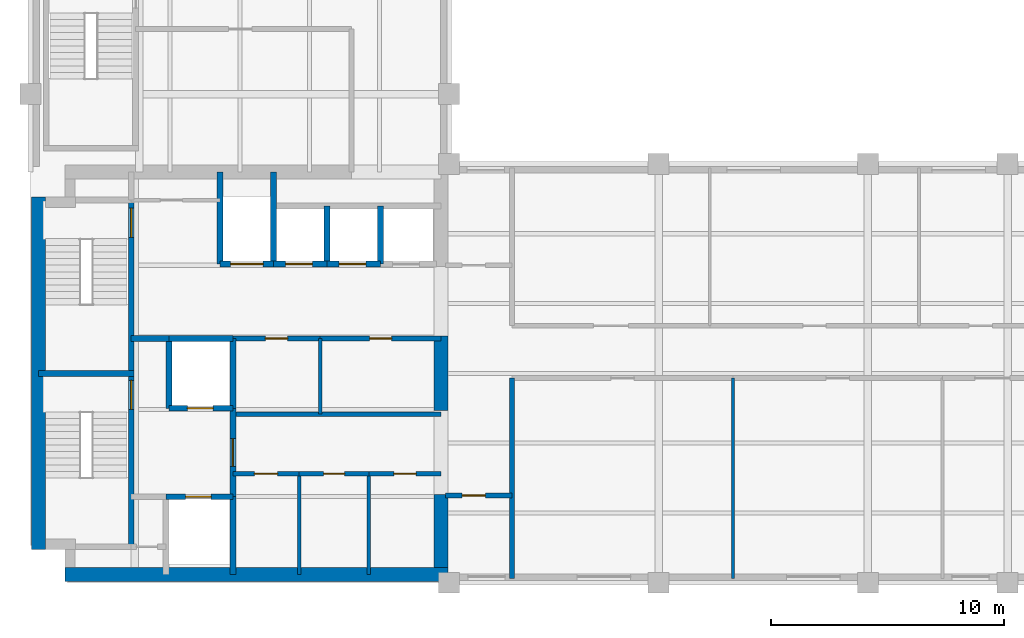
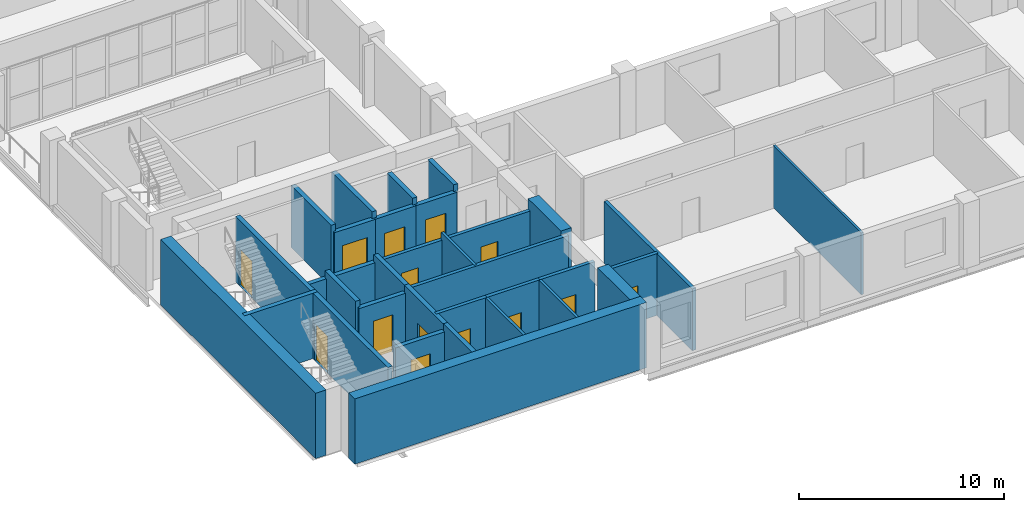
# One storey, part 8 of 11: 34 walls, 14 doors, 14 openings.
"""IFC4 building model written with IfcOpenShell, lengths in metres."""

from ifc_helpers import new_model, si_unit, direction, frame, frame_2d, origin, place, context, subcontext, project, spatial, rectangle, extrude, material, layer, layer_set, type_object, element, fill, save


model = new_model("IFC4")

# Units and contexts
model_context = context("Model", 3, precision=1e-05, world=origin(), true_north=direction((0.0, 1.0)))
body_context = subcontext(model_context, "Body", "Model", "MODEL_VIEW")
ifc_project = project(units=[si_unit("LENGTHUNIT", "METRE"), si_unit("AREAUNIT", "SQUARE_METRE"), si_unit("VOLUMEUNIT", "CUBIC_METRE"), si_unit("PLANEANGLEUNIT", "RADIAN"), si_unit("MASSUNIT", "GRAM", prefix="KILO")], contexts=[model_context])

# Site, building, storey
site_placement = place(None, origin())
site = spatial("IfcSite", under=ifc_project, at=site_placement, CompositionType="ELEMENT")
building_placement = place(site_placement, origin())
building = spatial("IfcBuilding", under=site, at=building_placement, Name="Mawjdan Bourse Tower", CompositionType="ELEMENT")
storey_placement = place(building_placement, frame((0.0, 0.0, 191.699951171875)))
storey = spatial("IfcBuildingStorey", under=building, at=storey_placement, Name="L46", CompositionType="ELEMENT", Elevation=191.699951171875)

# Wall, opening, door
ifc_material_1 = material(Name="Gypsum Fireboard Assembly")
ifc_layer_1 = layer(ifc_material_1, 0.199951171875)
ifc_layer_set_1 = layer_set([ifc_layer_1], Name="Gypsum Fireboard Assembly")
wall_type_1 = type_object("IfcWallType", Name="WL-CMP-200", PredefinedType="PARTITIONING", material=ifc_layer_set_1)
wall_1_placement = place(storey_placement, frame((14.699951171875, 7.679931640625, 0.0), z_axis=(0.0, 0.0, 1.0), x_axis=(1.0, 0.0, 0.0)))
wall_1 = element("IfcWall", 1, at=wall_1_placement, inside=storey, type_object=wall_type_1, Name="L46 Archive & Records Office North Wall", PredefinedType="PARTITIONING", context=body_context, shape_type="SweptSolid", body=[
    extrude(rectangle(XDim=2.85009765625, YDim=0.199951171875, at=frame_2d((1.425048828125, 0.0))), origin(), (0.0, 0.0, 1.0), 3.68994140625),
])
opening_1_placement = place(wall_1_placement, frame((0.925048828125, 0.0, 0.0)))
opening_1 = element("IfcOpeningElement", 2, at=opening_1_placement, cuts=wall_1, Name="Opening D-L46-13", PredefinedType="OPENING", context=body_context, shape_type="SweptSolid", body=[
    extrude(rectangle(XDim=1.0, YDim=2.14990234375, at=frame_2d((0.5, 1.074951171875))), frame((0.0, 0.10986328125, 0.0), z_axis=(0.0, -1.0, 0.0), x_axis=(1.0, 0.0, 0.0)), (0.0, 0.0, 1.0), 0.219970703125),
])
ifc_material_2 = material(Name="Hardwood Acoustic Leaf", Category="wood")
door_type_1 = type_object("IfcDoorType", Name="DR-OFC-1000", OperationType="NOTDEFINED", PredefinedType="DOOR", material=ifc_material_2)
door_1_placement = place(opening_1_placement, origin())
door_1 = element("IfcDoor", 3, at=door_1_placement, inside=storey, type_object=door_type_1, Name="L46 Archive & Records Office Door D-L46-13", OperationType="SINGLE_SWING_LEFT", OverallHeight=2.14990234375, OverallWidth=1.0, PredefinedType="DOOR", context=body_context, shape_type="SweptSolid", body=[
    extrude(rectangle(XDim=1.0, YDim=2.14990234375, at=frame_2d((0.5, 1.074951171875))), frame((0.0, 0.02490234375, 0.0), z_axis=(0.0, -1.0, 0.0), x_axis=(1.0, 0.0, 0.0)), (0.0, 0.0, 1.0), 0.050048828125),
])
fill(opening_1, door_1)

wall_2_placement = place(storey_placement, frame((17.550048828125, 7.679931640625, 0.0), z_axis=(0.0, 0.0, 1.0), x_axis=(1.0, 0.0, 0.0)))
wall_2 = element("IfcWall", 4, at=wall_2_placement, inside=storey, type_object=wall_type_1, Name="L46 IT & Fiber Patch Room North Wall", PredefinedType="PARTITIONING", context=body_context, shape_type="SweptSolid", body=[
    extrude(rectangle(XDim=3.0, YDim=0.199951171875, at=frame_2d((1.5, 0.0))), origin(), (0.0, 0.0, 1.0), 3.68994140625),
])
opening_2_placement = place(wall_2_placement, frame((1.050048828125, 0.0, 0.0)))
opening_2 = element("IfcOpeningElement", 5, at=opening_2_placement, cuts=wall_2, Name="Opening D-L46-14", PredefinedType="OPENING", context=body_context, shape_type="SweptSolid", body=[
    extrude(rectangle(XDim=0.89990234375, YDim=2.10009765625, at=frame_2d((0.449951171875, 1.050048828125))), frame((0.0, 0.10986328125, 0.0), z_axis=(0.0, -1.0, 0.0), x_axis=(1.0, 0.0, 0.0)), (0.0, 0.0, 1.0), 0.219970703125),
])
ifc_material_3 = material(Name="Fire-Rated Steel Access Leaf", Category="steel")
door_type_2 = type_object("IfcDoorType", Name="FD-RSR-0900", OperationType="NOTDEFINED", PredefinedType="TRAPDOOR", material=ifc_material_3)
door_2_placement = place(opening_2_placement, origin())
door_2 = element("IfcDoor", 6, at=door_2_placement, inside=storey, type_object=door_type_2, Name="L46 IT & Fiber Patch Room Door D-L46-14", OperationType="SINGLE_SWING_RIGHT", OverallHeight=2.10009765625, OverallWidth=0.89990234375, PredefinedType="TRAPDOOR", context=body_context, shape_type="SweptSolid", body=[
    extrude(rectangle(XDim=0.89990234375, YDim=2.10009765625, at=frame_2d((0.449951171875, 1.050048828125))), frame((0.0, 0.02490234375, 0.0), z_axis=(0.0, -1.0, 0.0), x_axis=(1.0, 0.0, 0.0)), (0.0, 0.0, 1.0), 0.050048828125),
])
fill(opening_2, door_2)

wall_3_placement = place(storey_placement, frame((20.550048828125, 7.679931640625, 0.0), z_axis=(0.0, 0.0, 1.0), x_axis=(1.0, 0.0, 0.0)))
wall_3 = element("IfcWall", 7, at=wall_3_placement, inside=storey, type_object=wall_type_1, Name="L46 Staff Tea Pantry North Wall", PredefinedType="PARTITIONING", context=body_context, shape_type="SweptSolid", body=[
    extrude(rectangle(XDim=3.099853515625, YDim=0.199951171875, at=frame_2d((1.5498046875, 0.0))), origin(), (0.0, 0.0, 1.0), 3.68994140625),
])
opening_3_placement = place(wall_3_placement, frame((1.074951171875, 0.0, 0.0)))
opening_3 = element("IfcOpeningElement", 8, at=opening_3_placement, cuts=wall_3, Name="Opening D-L46-15", PredefinedType="OPENING", context=body_context, shape_type="SweptSolid", body=[
    extrude(rectangle(XDim=0.949951171875, YDim=2.10009765625, at=frame_2d((0.47509765625, 1.050048828125))), frame((0.0, 0.10986328125, 0.0), z_axis=(0.0, -1.0, 0.0), x_axis=(1.0, 0.0, 0.0)), (0.0, 0.0, 1.0), 0.219970703125),
])
ifc_material_4 = material(Name="Moisture-Resistant Laminate Timber", Category="wood")
door_type_3 = type_object("IfcDoorType", Name="DR-WET-0950", OperationType="NOTDEFINED", PredefinedType="DOOR", material=ifc_material_4)
door_3_placement = place(opening_3_placement, origin())
door_3 = element("IfcDoor", 9, at=door_3_placement, inside=storey, type_object=door_type_3, Name="L46 Staff Tea Pantry Door D-L46-15", OperationType="SINGLE_SWING_LEFT", OverallHeight=2.10009765625, OverallWidth=0.949951171875, PredefinedType="DOOR", context=body_context, shape_type="SweptSolid", body=[
    extrude(rectangle(XDim=0.949951171875, YDim=2.10009765625, at=frame_2d((0.47509765625, 1.050048828125))), frame((0.0, 0.02490234375, 0.0), z_axis=(0.0, -1.0, 0.0), x_axis=(1.0, 0.0, 0.0)), (0.0, 0.0, 1.0), 0.050048828125),
])
fill(opening_3, door_3)

# Wall
wall_4_placement = place(storey_placement, frame((14.824951171875, 10.25, 0.0), z_axis=(0.0, 0.0, 1.0), x_axis=(1.0, 0.0, 0.0)))
element("IfcWall", 10, at=wall_4_placement, inside=storey, type_object=wall_type_1, Name="L46 Core Restroom Suite South Wall", PredefinedType="PARTITIONING", context=body_context, shape_type="SweptSolid", body=[
    extrude(rectangle(XDim=8.824951171875, YDim=0.199951171875, at=frame_2d((4.41259765625, 0.0))), origin(), (0.0, 0.0, 1.0), 3.68994140625),
])

# Wall, opening, door
wall_5_placement = place(storey_placement, frame((14.699951171875, 13.5, 0.0), z_axis=(0.0, 0.0, 1.0), x_axis=(1.0, 0.0, 0.0)))
wall_5 = element("IfcWall", 11, at=wall_5_placement, inside=storey, type_object=wall_type_1, Name="L46 Accessible WC North Wall", PredefinedType="PARTITIONING", context=body_context, shape_type="SweptSolid", body=[
    extrude(rectangle(XDim=3.75, YDim=0.199951171875, at=frame_2d((1.875, 0.0))), origin(), (0.0, 0.0, 1.0), 3.282958984375),
])
opening_4_placement = place(wall_5_placement, frame((1.39990234375, 0.0, 0.0)))
opening_4 = element("IfcOpeningElement", 12, at=opening_4_placement, cuts=wall_5, Name="Opening D-L46-16", PredefinedType="OPENING", context=body_context, shape_type="SweptSolid", body=[
    extrude(rectangle(XDim=0.949951171875, YDim=2.10009765625, at=frame_2d((0.47509765625, 1.050048828125))), frame((0.0, 0.10986328125, 0.0), z_axis=(0.0, -1.0, 0.0), x_axis=(1.0, 0.0, 0.0)), (0.0, 0.0, 1.0), 0.219970703125),
])
door_4_placement = place(opening_4_placement, origin())
door_4 = element("IfcDoor", 13, at=door_4_placement, inside=storey, type_object=door_type_3, Name="L46 Accessible WC Door D-L46-16", OperationType="SINGLE_SWING_RIGHT", OverallHeight=2.10009765625, OverallWidth=0.949951171875, PredefinedType="DOOR", context=body_context, shape_type="SweptSolid", body=[
    extrude(rectangle(XDim=0.949951171875, YDim=2.10009765625, at=frame_2d((0.47509765625, 1.050048828125))), frame((0.0, 0.02490234375, 0.0), z_axis=(0.0, -1.0, 0.0), x_axis=(1.0, 0.0, 0.0)), (0.0, 0.0, 1.0), 0.050048828125),
])
fill(opening_4, door_4)

wall_6_placement = place(storey_placement, frame((18.449951171875, 13.5, 0.0), z_axis=(0.0, 0.0, 1.0), x_axis=(1.0, 0.0, 0.0)))
wall_6 = element("IfcWall", 14, at=wall_6_placement, inside=storey, type_object=wall_type_1, Name="L46 Unisex Restroom Suite North Wall", PredefinedType="PARTITIONING", context=body_context, shape_type="SweptSolid", body=[
    extrude(rectangle(XDim=5.199951171875, YDim=0.199951171875, at=frame_2d((2.60009765625, 0.0))), origin(), (0.0, 0.0, 1.0), 3.282958984375),
])
opening_5_placement = place(wall_6_placement, frame((2.125, 0.0, 0.0)))
opening_5 = element("IfcOpeningElement", 15, at=opening_5_placement, cuts=wall_6, Name="Opening D-L46-17", PredefinedType="OPENING", context=body_context, shape_type="SweptSolid", body=[
    extrude(rectangle(XDim=0.949951171875, YDim=2.10009765625, at=frame_2d((0.47509765625, 1.050048828125))), frame((0.0, 0.10986328125, 0.0), z_axis=(0.0, -1.0, 0.0), x_axis=(1.0, 0.0, 0.0)), (0.0, 0.0, 1.0), 0.219970703125),
])
door_5_placement = place(opening_5_placement, origin())
door_5 = element("IfcDoor", 16, at=door_5_placement, inside=storey, type_object=door_type_3, Name="L46 Unisex Restroom Suite Door D-L46-17", OperationType="SINGLE_SWING_LEFT", OverallHeight=2.10009765625, OverallWidth=0.949951171875, PredefinedType="DOOR", context=body_context, shape_type="SweptSolid", body=[
    extrude(rectangle(XDim=0.949951171875, YDim=2.10009765625, at=frame_2d((0.47509765625, 1.050048828125))), frame((0.0, 0.02490234375, 0.0), z_axis=(0.0, -1.0, 0.0), x_axis=(1.0, 0.0, 0.0)), (0.0, 0.0, 1.0), 0.050048828125),
])
fill(opening_5, door_5)

wall_7_placement = place(storey_placement, frame((23.85009765625, 6.75, 0.0), z_axis=(0.0, 0.0, 1.0), x_axis=(1.0, 0.0, 0.0)))
wall_7 = element("IfcWall", 17, at=wall_7_placement, inside=storey, type_object=wall_type_1, Name="L46 West Pocket North Wall", PredefinedType="PARTITIONING", context=body_context, shape_type="SweptSolid", body=[
    extrude(rectangle(XDim=2.849853515625, YDim=0.199951171875, at=frame_2d((1.4248046875, 0.0))), origin(), (0.0, 0.0, 1.0), 3.68994140625),
])
opening_6_placement = place(wall_7_placement, frame((0.699951171875, 0.0, 0.0)))
opening_6 = element("IfcOpeningElement", 18, at=opening_6_placement, cuts=wall_7, Name="Opening D-L46-20", PredefinedType="OPENING", context=body_context, shape_type="SweptSolid", body=[
    extrude(rectangle(XDim=1.0, YDim=2.14990234375, at=frame_2d((0.5, 1.074951171875))), frame((0.0, 0.10986328125, 0.0), z_axis=(0.0, -1.0, 0.0), x_axis=(1.0, 0.0, 0.0)), (0.0, 0.0, 1.0), 0.219970703125),
])
door_6_placement = place(opening_6_placement, origin())
door_6 = element("IfcDoor", 19, at=door_6_placement, inside=storey, type_object=door_type_1, Name="L46 West Pocket Office Door D-L46-20", OperationType="SINGLE_SWING_RIGHT", OverallHeight=2.14990234375, OverallWidth=1.0, PredefinedType="DOOR", context=body_context, shape_type="SweptSolid", body=[
    extrude(rectangle(XDim=1.0, YDim=2.14990234375, at=frame_2d((0.5, 1.074951171875))), frame((0.0, 0.02490234375, 0.0), z_axis=(0.0, -1.0, 0.0), x_axis=(1.0, 0.0, 0.0)), (0.0, 0.0, 1.0), 0.050048828125),
])
fill(opening_6, door_6)

# Walls
wall_8_placement = place(storey_placement, frame((26.699951171875, 3.179931640625, 0.0), z_axis=(0.0, 0.0, 1.0), x_axis=(0.0, 1.0, 0.0)))
element("IfcWall", 20, at=wall_8_placement, inside=storey, type_object=wall_type_1, Name="L46 Vestibule South East Wall", PredefinedType="PARTITIONING", context=body_context, shape_type="SweptSolid", body=[
    extrude(rectangle(XDim=8.6201171875, YDim=0.199951171875, at=frame_2d((4.31005859375, 0.0))), origin(), (0.0, 0.0, 1.0), 3.68994140625),
])
ifc_material_5 = material(Name="Concrete C70/85", Category="concrete")
ifc_layer_2 = layer(ifc_material_5, 0.60009765625)
ifc_layer_set_2 = layer_set([ifc_layer_2], Name="Concrete C70/85")
wall_type_2 = type_object("IfcWallType", Name="WL-CORE-600", PredefinedType="SHEAR", material=ifc_layer_set_2)
wall_9_placement = place(storey_placement, frame((7.47509765625, 3.35009765625, 0.0), z_axis=(0.0, 0.0, 1.0), x_axis=(1.0, 0.0, 0.0)))
element("IfcWall", 21, at=wall_9_placement, inside=storey, type_object=wall_type_2, Name="L46 Rear Core Shear Wall S", PredefinedType="SHEAR", context=body_context, shape_type="SweptSolid", body=[
    extrude(rectangle(XDim=16.474853515625, YDim=0.60009765625, at=frame_2d((8.2373046875, 0.0))), origin(), (0.0, 0.0, 1.0), 3.900146484375),
])
wall_10_placement = place(storey_placement, frame((6.35009765625, 4.425048828125, 0.0), z_axis=(0.0, 0.0, 1.0), x_axis=(0.0, 1.0, 0.0)))
element("IfcWall", 22, at=wall_10_placement, inside=storey, type_object=wall_type_2, Name="L46 Rear Core Shear Wall W", PredefinedType="SHEAR", context=body_context, shape_type="SweptSolid", body=[
    extrude(rectangle(XDim=15.14990234375, YDim=0.60009765625, at=frame_2d((7.574951171875, 0.0))), origin(), (0.0, 0.0, 1.0), 3.900146484375),
])
wall_11_placement = place(storey_placement, frame((23.64990234375, 3.64990234375, 0.0), z_axis=(0.0, 0.0, 1.0), x_axis=(0.0, 1.0, 0.0)))
element("IfcWall", 23, at=wall_11_placement, inside=storey, type_object=wall_type_2, Name="L46 Rear Core Shear Wall E1", PredefinedType="SHEAR", context=body_context, shape_type="SweptSolid", body=[
    extrude(rectangle(XDim=3.150146484375, YDim=0.60009765625, at=frame_2d((1.5751953125, 0.0))), origin(), (0.0, 0.0, 1.0), 3.900146484375),
])
wall_12_placement = place(storey_placement, frame((23.64990234375, 10.39990234375, 0.0), z_axis=(0.0, 0.0, 1.0), x_axis=(0.0, 1.0, 0.0)))
element("IfcWall", 24, at=wall_12_placement, inside=storey, type_object=wall_type_2, Name="L46 Rear Core Shear Wall E2", PredefinedType="SHEAR", context=body_context, shape_type="SweptSolid", body=[
    extrude(rectangle(XDim=3.2001953125, YDim=0.60009765625, at=frame_2d((1.60009765625, 0.0))), origin(), (0.0, 0.0, 1.0), 3.900146484375),
])
ifc_material_6 = material(Name="Gypsum Partition")
ifc_layer_3 = layer(ifc_material_6, 0.125)
ifc_layer_set_3 = layer_set([ifc_layer_3], Name="Gypsum Partition")
wall_type_3 = type_object("IfcWallType", Name="WL-PRT-125", PredefinedType="PARTITIONING", material=ifc_layer_set_3)
wall_13_placement = place(storey_placement, frame((36.199951171875, 3.179931640625, 0.0), z_axis=(0.0, 0.0, 1.0), x_axis=(0.0, 1.0, 0.0)))
element("IfcWall", 25, at=wall_13_placement, inside=storey, type_object=wall_type_3, Name="L46 Executive Office Partition", PredefinedType="PARTITIONING", context=body_context, shape_type="SweptSolid", body=[
    extrude(rectangle(XDim=8.6201171875, YDim=0.125, at=frame_2d((4.31005859375, 0.0))), origin(), (0.0, 0.0, 1.0), 3.68994140625),
])
ifc_material_7 = material(Name="Gypsum Acoustic Partition")
ifc_layer_4 = layer(ifc_material_7, 0.14990234375)
ifc_layer_set_4 = layer_set([ifc_layer_4], Name="Gypsum Acoustic Partition")
wall_type_4 = type_object("IfcWallType", Name="WL-PRT-150", PredefinedType="PARTITIONING", material=ifc_layer_set_4)
for number, where, z_axis, x_axis, name in (
    (26, (17.550048828125, 3.35009765625, 0.0), (0.0, 0.0, 1.0), (0.0, 1.0, 0.0), "L46 IT & Fiber Patch Room Core Split Wall"),
    (27, (20.550048828125, 3.35009765625, 0.0), (0.0, 0.0, 1.0), (0.0, 1.0, 0.0), "L46 Staff Tea Pantry Core Split Wall"),
):
    element("IfcWall", number, at=place(storey_placement, frame(where, z_axis=z_axis, x_axis=x_axis)), inside=storey, type_object=wall_type_4, Name=name, PredefinedType="PARTITIONING", context=body_context, shape_type="SweptSolid", body=[
        extrude(rectangle(XDim=4.329833984375, YDim=0.14990234375, at=frame_2d((2.1650390625, 0.0))), origin(), (0.0, 0.0, 1.0), 3.68994140625),
    ])
wall_14_placement = place(storey_placement, frame((18.449951171875, 10.25, 0.0), z_axis=(0.0, 0.0, 1.0), x_axis=(0.0, 1.0, 0.0)))
element("IfcWall", 28, at=wall_14_placement, inside=storey, type_object=wall_type_4, Name="L46 Unisex Restroom Suite Split Wall", PredefinedType="PARTITIONING", context=body_context, shape_type="SweptSolid", body=[
    extrude(rectangle(XDim=3.25, YDim=0.14990234375, at=frame_2d((1.625, 0.0))), origin(), (0.0, 0.0, 1.0), 3.68994140625),
])

# Wall, opening, door
ifc_material_8 = material(Name="Concrete C50/60", Category="concrete")
ifc_layer_5 = layer(ifc_material_8, 0.25)
ifc_layer_set_5 = layer_set([ifc_layer_5], Name="Concrete C50/60")
wall_type_5 = type_object("IfcWallType", Name="WL-SHFT-250", PredefinedType="PARTITIONING", material=ifc_layer_set_5)
wall_15_placement = place(storey_placement, frame((11.820068359375, 6.699951171875, 0.0), z_axis=(0.0, 0.0, 1.0), x_axis=(1.0, 0.0, 0.0)))
wall_15 = element("IfcWall", 29, at=wall_15_placement, inside=storey, type_object=wall_type_5, Name="L46 FFL-01 Front Shaft Wall", PredefinedType="PARTITIONING", context=body_context, shape_type="SweptSolid", body=[
    extrude(rectangle(XDim=2.8798828125, YDim=0.25, at=frame_2d((1.43994140625, 0.0))), origin(), (0.0, 0.0, 1.0), 3.282958984375),
])
opening_7_placement = place(wall_15_placement, frame((0.85009765625, 0.0, 0.0)))
opening_7 = element("IfcOpeningElement", 30, at=opening_7_placement, cuts=wall_15, Name="Opening LD-L46-05", PredefinedType="OPENING", context=body_context, shape_type="SweptSolid", body=[
    extrude(rectangle(XDim=1.10009765625, YDim=2.25, at=frame_2d((0.550048828125, 1.125))), frame((0.0, 0.135009765625, 0.0), z_axis=(0.0, -1.0, 0.0), x_axis=(1.0, 0.0, 0.0)), (0.0, 0.0, 1.0), 0.27001953125),
])
ifc_material_9 = material(Name="Brushed Stainless Steel", Category="steel")
door_type_4 = type_object("IfcDoorType", Name="LD-FFL-1100", OperationType="DOUBLE_DOOR_SLIDING", PredefinedType="DOOR", material=ifc_material_9)
door_7_placement = place(opening_7_placement, origin())
door_7 = element("IfcDoor", 31, at=door_7_placement, inside=storey, type_object=door_type_4, Name="L46 Firefighting Lift FFL-01 Landing Door LD-L46-05", OperationType="DOUBLE_DOOR_SLIDING", OverallHeight=2.25, OverallWidth=1.10009765625, PredefinedType="DOOR", context=body_context, shape_type="SweptSolid", body=[
    extrude(rectangle(XDim=1.10009765625, YDim=2.25, at=frame_2d((0.550048828125, 1.125))), frame((0.0, 0.02490234375, 0.0), z_axis=(0.0, -1.0, 0.0), x_axis=(1.0, 0.0, 0.0)), (0.0, 0.0, 1.0), 0.050048828125),
])
fill(opening_7, door_7)

# Wall
wall_16_placement = place(storey_placement, frame((14.699951171875, 3.35009765625, 0.0), z_axis=(0.0, 0.0, 1.0), x_axis=(0.0, 1.0, 0.0)))
element("IfcWall", 32, at=wall_16_placement, inside=storey, type_object=wall_type_5, Name="L46 FFL-01 East Shaft Wall", PredefinedType="PARTITIONING", context=body_context, shape_type="SweptSolid", body=[
    extrude(rectangle(XDim=3.349853515625, YDim=0.25, at=frame_2d((1.6748046875, 0.0))), origin(), (0.0, 0.0, 1.0), 3.68994140625),
])

# Wall, opening, door
wall_17_placement = place(storey_placement, frame((11.949951171875, 10.5, 0.0), z_axis=(0.0, 0.0, 1.0), x_axis=(1.0, 0.0, 0.0)))
wall_17 = element("IfcWall", 33, at=wall_17_placement, inside=storey, type_object=wall_type_5, Name="L46 FFL-02 Front Shaft Wall", PredefinedType="PARTITIONING", context=body_context, shape_type="SweptSolid", body=[
    extrude(rectangle(XDim=2.75, YDim=0.25, at=frame_2d((1.375, 0.0))), origin(), (0.0, 0.0, 1.0), 3.282958984375),
])
opening_8_placement = place(wall_17_placement, frame((0.800048828125, 0.0, 0.0)))
opening_8 = element("IfcOpeningElement", 34, at=opening_8_placement, cuts=wall_17, Name="Opening LD-L46-06", PredefinedType="OPENING", context=body_context, shape_type="SweptSolid", body=[
    extrude(rectangle(XDim=1.10009765625, YDim=2.25, at=frame_2d((0.550048828125, 1.125))), frame((0.0, 0.135009765625, 0.0), z_axis=(0.0, -1.0, 0.0), x_axis=(1.0, 0.0, 0.0)), (0.0, 0.0, 1.0), 0.27001953125),
])
door_8_placement = place(opening_8_placement, origin())
door_8 = element("IfcDoor", 35, at=door_8_placement, inside=storey, type_object=door_type_4, Name="L46 Firefighting Lift FFL-02 Landing Door LD-L46-06", OperationType="DOUBLE_DOOR_SLIDING", OverallHeight=2.25, OverallWidth=1.10009765625, PredefinedType="DOOR", context=body_context, shape_type="SweptSolid", body=[
    extrude(rectangle(XDim=1.10009765625, YDim=2.25, at=frame_2d((0.550048828125, 1.125))), frame((0.0, 0.02490234375, 0.0), z_axis=(0.0, -1.0, 0.0), x_axis=(1.0, 0.0, 0.0)), (0.0, 0.0, 1.0), 0.050048828125),
])
fill(opening_8, door_8)

# Walls
wall_18_placement = place(storey_placement, frame((11.949951171875, 10.5, 0.0), z_axis=(0.0, 0.0, 1.0), x_axis=(0.0, 1.0, 0.0)))
element("IfcWall", 36, at=wall_18_placement, inside=storey, type_object=wall_type_5, Name="L46 FFL-02 West Shaft Wall", PredefinedType="PARTITIONING", context=body_context, shape_type="SweptSolid", body=[
    extrude(rectangle(XDim=3.0, YDim=0.25, at=frame_2d((1.5, 0.0))), origin(), (0.0, 0.0, 1.0), 3.68994140625),
])
wall_19_placement = place(storey_placement, frame((11.949951171875, 13.5, 0.0), z_axis=(0.0, 0.0, 1.0), x_axis=(1.0, 0.0, 0.0)))
element("IfcWall", 37, at=wall_19_placement, inside=storey, type_object=wall_type_5, Name="L46 FFL-02 North Shaft Wall", PredefinedType="PARTITIONING", context=body_context, shape_type="SweptSolid", body=[
    extrude(rectangle(XDim=2.75, YDim=0.25, at=frame_2d((1.375, 0.0))), origin(), (0.0, 0.0, 1.0), 3.282958984375),
])
wall_20_placement = place(storey_placement, frame((14.699951171875, 10.5, 0.0), z_axis=(0.0, 0.0, 1.0), x_axis=(0.0, 1.0, 0.0)))
element("IfcWall", 38, at=wall_20_placement, inside=storey, type_object=wall_type_5, Name="L46 FFL-02 East Shaft Wall", PredefinedType="PARTITIONING", context=body_context, shape_type="SweptSolid", body=[
    extrude(rectangle(XDim=3.0, YDim=0.25, at=frame_2d((1.5, 0.0))), origin(), (0.0, 0.0, 1.0), 3.68994140625),
])

# Wall, opening, door
wall_21_placement = place(storey_placement, frame((14.699951171875, 6.699951171875, 0.0), z_axis=(0.0, 0.0, 1.0), x_axis=(0.0, 1.0, 0.0)))
wall_21 = element("IfcWall", 39, at=wall_21_placement, inside=storey, type_object=wall_type_5, Name="L46 Firefighting Lobby East Compartment Wall", PredefinedType="PARTITIONING", context=body_context, shape_type="SweptSolid", body=[
    extrude(rectangle(XDim=3.800048828125, YDim=0.25, at=frame_2d((1.89990234375, 0.0))), origin(), (0.0, 0.0, 1.0), 3.68994140625),
])
opening_9_placement = place(wall_21_placement, frame((1.300048828125, 0.0, 0.0)))
opening_9 = element("IfcOpeningElement", 40, at=opening_9_placement, cuts=wall_21, Name="Opening FD-L46-07", PredefinedType="OPENING", context=body_context, shape_type="SweptSolid", body=[
    extrude(rectangle(XDim=1.199951171875, YDim=2.199951171875, at=frame_2d((0.60009765625, 1.10009765625))), frame((0.0, 0.135009765625, 0.0), z_axis=(0.0, -1.0, 0.0), x_axis=(1.0, 0.0, 0.0)), (0.0, 0.0, 1.0), 0.27001953125),
])
ifc_material_10 = material(Name="Fire-Rated Steel Leaf", Category="steel")
door_type_5 = type_object("IfcDoorType", Name="FD-FFL-1200", OperationType="NOTDEFINED", PredefinedType="DOOR", material=ifc_material_10)
door_9_placement = place(opening_9_placement, origin())
door_9 = element("IfcDoor", 41, at=door_9_placement, inside=storey, type_object=door_type_5, Name="L46 Firefighting Lobby East Smoke Door FD-L46-07", OperationType="SINGLE_SWING_LEFT", OverallHeight=2.199951171875, OverallWidth=1.199951171875, PredefinedType="DOOR", context=body_context, shape_type="SweptSolid", body=[
    extrude(rectangle(XDim=1.199951171875, YDim=2.199951171875, at=frame_2d((0.60009765625, 1.10009765625))), frame((0.0, 0.02490234375, 0.0), z_axis=(0.0, -1.0, 0.0), x_axis=(1.0, 0.0, 0.0)), (0.0, 0.0, 1.0), 0.050048828125),
])
fill(opening_9, door_9)

# Wall
wall_22_placement = place(storey_placement, frame((10.330078125, 13.5, 0.0), z_axis=(0.0, 0.0, 1.0), x_axis=(1.0, 0.0, 0.0)))
element("IfcWall", 42, at=wall_22_placement, inside=storey, type_object=wall_type_5, Name="L46 Firefighting Lobby North Compartment Wall", PredefinedType="PARTITIONING", context=body_context, shape_type="SweptSolid", body=[
    extrude(rectangle(XDim=1.619873046875, YDim=0.25, at=frame_2d((0.81005859375, 0.0))), origin(), (0.0, 0.0, 1.0), 3.282958984375),
])

# Wall, opening, door
wall_23_placement = place(storey_placement, frame((14.14990234375, 16.699951171875, 0.0), z_axis=(0.0, 0.0, 1.0), x_axis=(1.0, 0.0, 0.0)))
wall_23 = element("IfcWall", 43, at=wall_23_placement, inside=storey, type_object=wall_type_5, Name="L46 SVL-01 Front Shaft Wall", PredefinedType="PARTITIONING", context=body_context, shape_type="SweptSolid", body=[
    extrude(rectangle(XDim=2.300048828125, YDim=0.25, at=frame_2d((1.14990234375, 0.0))), origin(), (0.0, 0.0, 1.0), 3.282958984375),
])
opening_10_placement = place(wall_23_placement, frame((0.449951171875, 0.0, 0.0)))
opening_10 = element("IfcOpeningElement", 44, at=opening_10_placement, cuts=wall_23, Name="Opening LD-L46-09", PredefinedType="OPENING", context=body_context, shape_type="SweptSolid", body=[
    extrude(rectangle(XDim=1.39990234375, YDim=2.35009765625, at=frame_2d((0.699951171875, 1.175048828125))), frame((0.0, 0.135009765625, 0.0), z_axis=(0.0, -1.0, 0.0), x_axis=(1.0, 0.0, 0.0)), (0.0, 0.0, 1.0), 0.27001953125),
])
ifc_material_11 = material(Name="Heavy-Duty Stainless Steel", Category="steel")
door_type_6 = type_object("IfcDoorType", Name="LD-SRV-1400", OperationType="DOUBLE_DOOR_SLIDING", PredefinedType="DOOR", material=ifc_material_11)
door_10_placement = place(opening_10_placement, origin())
door_10 = element("IfcDoor", 45, at=door_10_placement, inside=storey, type_object=door_type_6, Name="L46 Service Lift SVL-01 Landing Door LD-L46-09", OperationType="DOUBLE_DOOR_SLIDING", OverallHeight=2.35009765625, OverallWidth=1.39990234375, PredefinedType="DOOR", context=body_context, shape_type="SweptSolid", body=[
    extrude(rectangle(XDim=1.39990234375, YDim=2.35009765625, at=frame_2d((0.699951171875, 1.175048828125))), frame((0.0, 0.02490234375, 0.0), z_axis=(0.0, -1.0, 0.0), x_axis=(1.0, 0.0, 0.0)), (0.0, 0.0, 1.0), 0.050048828125),
])
fill(opening_10, door_10)

# Walls
for number, where, z_axis, x_axis, name in (
    (46, (14.14990234375, 16.699951171875, 0.0), (0.0, 0.0, 1.0), (0.0, 1.0, 0.0), "L46 SVL-01 West Shaft Wall"),
    (47, (16.449951171875, 16.699951171875, 0.0), (0.0, 0.0, 1.0), (0.0, 1.0, 0.0), "L46 SVL-01 East Shaft Wall"),
):
    element("IfcWall", number, at=place(storey_placement, frame(where, z_axis=z_axis, x_axis=x_axis)), inside=storey, type_object=wall_type_5, Name=name, PredefinedType="PARTITIONING", context=body_context, shape_type="SweptSolid", body=[
        extrude(rectangle(XDim=3.949951171875, YDim=0.25, at=frame_2d((1.97509765625, 0.0))), origin(), (0.0, 0.0, 1.0), 3.68994140625),
    ])

# Wall, opening, door
wall_24_placement = place(storey_placement, frame((16.449951171875, 16.699951171875, 0.0), z_axis=(0.0, 0.0, 1.0), x_axis=(1.0, 0.0, 0.0)))
wall_24 = element("IfcWall", 48, at=wall_24_placement, inside=storey, type_object=wall_type_5, Name="L46 PH-01 Front Wall", PredefinedType="PARTITIONING", context=body_context, shape_type="SweptSolid", body=[
    extrude(rectangle(XDim=2.300048828125, YDim=0.25, at=frame_2d((1.14990234375, 0.0))), origin(), (0.0, 0.0, 1.0), 3.282958984375),
])
opening_11_placement = place(wall_24_placement, frame((0.52001953125, 0.0, 0.0)))
opening_11 = element("IfcOpeningElement", 49, at=opening_11_placement, cuts=wall_24, Name="Opening LD-L46-10", PredefinedType="OPENING", context=body_context, shape_type="SweptSolid", body=[
    extrude(rectangle(XDim=1.14990234375, YDim=2.25, at=frame_2d((0.574951171875, 1.125))), frame((0.0, 0.135009765625, 0.0), z_axis=(0.0, -1.0, 0.0), x_axis=(1.0, 0.0, 0.0)), (0.0, 0.0, 1.0), 0.27001953125),
])
door_type_7 = type_object("IfcDoorType", Name="LD-PAS-1150", OperationType="DOUBLE_DOOR_SLIDING", PredefinedType="DOOR", material=ifc_material_9)
door_11_placement = place(opening_11_placement, origin())
door_11 = element("IfcDoor", 50, at=door_11_placement, inside=storey, type_object=door_type_7, Name="L46 Lift PH-01 Landing Door LD-L46-10", OperationType="DOUBLE_DOOR_SLIDING", OverallHeight=2.25, OverallWidth=1.14990234375, PredefinedType="DOOR", context=body_context, shape_type="SweptSolid", body=[
    extrude(rectangle(XDim=1.14990234375, YDim=2.25, at=frame_2d((0.574951171875, 1.125))), frame((0.0, 0.02490234375, 0.0), z_axis=(0.0, -1.0, 0.0), x_axis=(1.0, 0.0, 0.0)), (0.0, 0.0, 1.0), 0.050048828125),
])
fill(opening_11, door_11)

# Wall
wall_25_placement = place(storey_placement, frame((18.75, 16.699951171875, 0.0), z_axis=(0.0, 0.0, 1.0), x_axis=(0.0, 1.0, 0.0)))
element("IfcWall", 51, at=wall_25_placement, inside=storey, type_object=wall_type_5, Name="L46 PH-01 Divider Wall", PredefinedType="PARTITIONING", context=body_context, shape_type="SweptSolid", body=[
    extrude(rectangle(XDim=2.5, YDim=0.25, at=frame_2d((1.25, 0.0))), origin(), (0.0, 0.0, 1.0), 3.68994140625),
])

# Wall, opening, door
wall_26_placement = place(storey_placement, frame((18.75, 16.699951171875, 0.0), z_axis=(0.0, 0.0, 1.0), x_axis=(1.0, 0.0, 0.0)))
wall_26 = element("IfcWall", 52, at=wall_26_placement, inside=storey, type_object=wall_type_5, Name="L46 PH-02 Front Wall", PredefinedType="PARTITIONING", context=body_context, shape_type="SweptSolid", body=[
    extrude(rectangle(XDim=2.300048828125, YDim=0.25, at=frame_2d((1.14990234375, 0.0))), origin(), (0.0, 0.0, 1.0), 3.282958984375),
])
opening_12_placement = place(wall_26_placement, frame((0.52001953125, 0.0, 0.0)))
opening_12 = element("IfcOpeningElement", 53, at=opening_12_placement, cuts=wall_26, Name="Opening LD-L46-11", PredefinedType="OPENING", context=body_context, shape_type="SweptSolid", body=[
    extrude(rectangle(XDim=1.14990234375, YDim=2.25, at=frame_2d((0.574951171875, 1.125))), frame((0.0, 0.135009765625, 0.0), z_axis=(0.0, -1.0, 0.0), x_axis=(1.0, 0.0, 0.0)), (0.0, 0.0, 1.0), 0.27001953125),
])
door_12_placement = place(opening_12_placement, origin())
door_12 = element("IfcDoor", 54, at=door_12_placement, inside=storey, type_object=door_type_7, Name="L46 Lift PH-02 Landing Door LD-L46-11", OperationType="DOUBLE_DOOR_SLIDING", OverallHeight=2.25, OverallWidth=1.14990234375, PredefinedType="DOOR", context=body_context, shape_type="SweptSolid", body=[
    extrude(rectangle(XDim=1.14990234375, YDim=2.25, at=frame_2d((0.574951171875, 1.125))), frame((0.0, 0.02490234375, 0.0), z_axis=(0.0, -1.0, 0.0), x_axis=(1.0, 0.0, 0.0)), (0.0, 0.0, 1.0), 0.050048828125),
])
fill(opening_12, door_12)

# Walls
wall_27_placement = place(storey_placement, frame((21.050048828125, 16.699951171875, 0.0), z_axis=(0.0, 0.0, 1.0), x_axis=(0.0, 1.0, 0.0)))
element("IfcWall", 55, at=wall_27_placement, inside=storey, type_object=wall_type_5, Name="L46 PH-02 Divider Wall", PredefinedType="PARTITIONING", context=body_context, shape_type="SweptSolid", body=[
    extrude(rectangle(XDim=2.5, YDim=0.25, at=frame_2d((1.25, 0.0))), origin(), (0.0, 0.0, 1.0), 3.68994140625),
])
ifc_layer_6 = layer(ifc_material_8, 0.25)
ifc_layer_set_6 = layer_set([ifc_layer_6], Name="Concrete C50/60")
wall_type_6 = type_object("IfcWallType", Name="WL-STRW-250", PredefinedType="SHEAR", material=ifc_layer_set_6)
wall_28_placement = place(storey_placement, frame((6.35009765625, 12.0, 0.0), z_axis=(0.0, 0.0, 1.0), x_axis=(1.0, 0.0, 0.0)))
element("IfcWall", 56, at=wall_28_placement, inside=storey, type_object=wall_type_6, Name="L46 Stairwell Dividing Shaft Wall", PredefinedType="SHEAR", context=body_context, shape_type="SweptSolid", body=[
    extrude(rectangle(XDim=4.10498046875, YDim=0.25, at=frame_2d((2.052490234375, 0.0))), origin(), (0.0, 0.0, 1.0), 3.900146484375),
])

# Wall, opening, door
wall_29_placement = place(storey_placement, frame((10.330078125, 4.550048828125, 0.0), z_axis=(0.0, 0.0, 1.0), x_axis=(0.0, 1.0, 0.0)))
wall_29 = element("IfcWall", 57, at=wall_29_placement, inside=storey, type_object=wall_type_6, Name="L46 Stairwell ST1 East Enclosure Wall", PredefinedType="SHEAR", context=body_context, shape_type="SweptSolid", body=[
    extrude(rectangle(XDim=7.449951171875, YDim=0.25, at=frame_2d((3.72509765625, 0.0))), origin(), (0.0, 0.0, 1.0), 3.900146484375),
])
opening_13_placement = place(wall_29_placement, frame((5.89990234375, 0.0, 0.0)))
opening_13 = element("IfcOpeningElement", 58, at=opening_13_placement, cuts=wall_29, Name="Opening SD-L46-01", PredefinedType="OPENING", context=body_context, shape_type="SweptSolid", body=[
    extrude(rectangle(XDim=1.25, YDim=2.199951171875, at=frame_2d((0.625, 1.10009765625))), frame((0.0, 0.135009765625, 0.0), z_axis=(0.0, -1.0, 0.0), x_axis=(1.0, 0.0, 0.0)), (0.0, 0.0, 1.0), 0.27001953125),
])
door_type_8 = type_object("IfcDoorType", Name="FD-ST-1250", OperationType="NOTDEFINED", PredefinedType="DOOR", material=ifc_material_10)
door_13_placement = place(opening_13_placement, origin())
door_13 = element("IfcDoor", 59, at=door_13_placement, inside=storey, type_object=door_type_8, Name="L46 Exit Stair ST1 Fire Door SD-L46-01", OperationType="SINGLE_SWING_LEFT", OverallHeight=2.199951171875, OverallWidth=1.25, PredefinedType="DOOR", context=body_context, shape_type="SweptSolid", body=[
    extrude(rectangle(XDim=1.25, YDim=2.199951171875, at=frame_2d((0.625, 1.10009765625))), frame((0.0, 0.02490234375, 0.0), z_axis=(0.0, -1.0, 0.0), x_axis=(1.0, 0.0, 0.0)), (0.0, 0.0, 1.0), 0.050048828125),
])
fill(opening_13, door_13)

wall_30_placement = place(storey_placement, frame((10.330078125, 12.0, 0.0), z_axis=(0.0, 0.0, 1.0), x_axis=(0.0, 1.0, 0.0)))
wall_30 = element("IfcWall", 60, at=wall_30_placement, inside=storey, type_object=wall_type_6, Name="L46 Stairwell ST2 East Enclosure Wall", PredefinedType="SHEAR", context=body_context, shape_type="SweptSolid", body=[
    extrude(rectangle(XDim=7.449951171875, YDim=0.25, at=frame_2d((3.72509765625, 0.0))), origin(), (0.0, 0.0, 1.0), 3.900146484375),
])
opening_14_placement = place(wall_30_placement, frame((5.85009765625, 0.0, 0.0)))
opening_14 = element("IfcOpeningElement", 61, at=opening_14_placement, cuts=wall_30, Name="Opening SD-L46-02", PredefinedType="OPENING", context=body_context, shape_type="SweptSolid", body=[
    extrude(rectangle(XDim=1.25, YDim=2.199951171875, at=frame_2d((0.625, 1.10009765625))), frame((0.0, 0.135009765625, 0.0), z_axis=(0.0, -1.0, 0.0), x_axis=(1.0, 0.0, 0.0)), (0.0, 0.0, 1.0), 0.27001953125),
])
door_14_placement = place(opening_14_placement, origin())
door_14 = element("IfcDoor", 62, at=door_14_placement, inside=storey, type_object=door_type_8, Name="L46 Exit Stair ST2 Fire Door SD-L46-02", OperationType="SINGLE_SWING_RIGHT", OverallHeight=2.199951171875, OverallWidth=1.25, PredefinedType="DOOR", context=body_context, shape_type="SweptSolid", body=[
    extrude(rectangle(XDim=1.25, YDim=2.199951171875, at=frame_2d((0.625, 1.10009765625))), frame((0.0, 0.02490234375, 0.0), z_axis=(0.0, -1.0, 0.0), x_axis=(1.0, 0.0, 0.0)), (0.0, 0.0, 1.0), 0.050048828125),
])
fill(opening_14, door_14)

save(model, "model.ifc")
